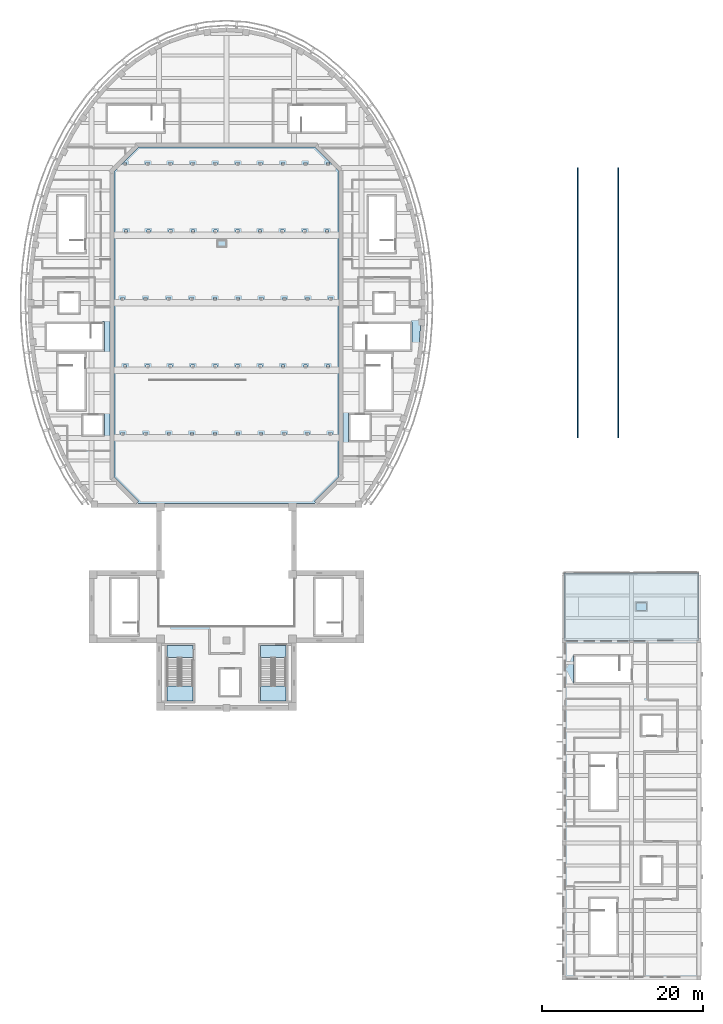
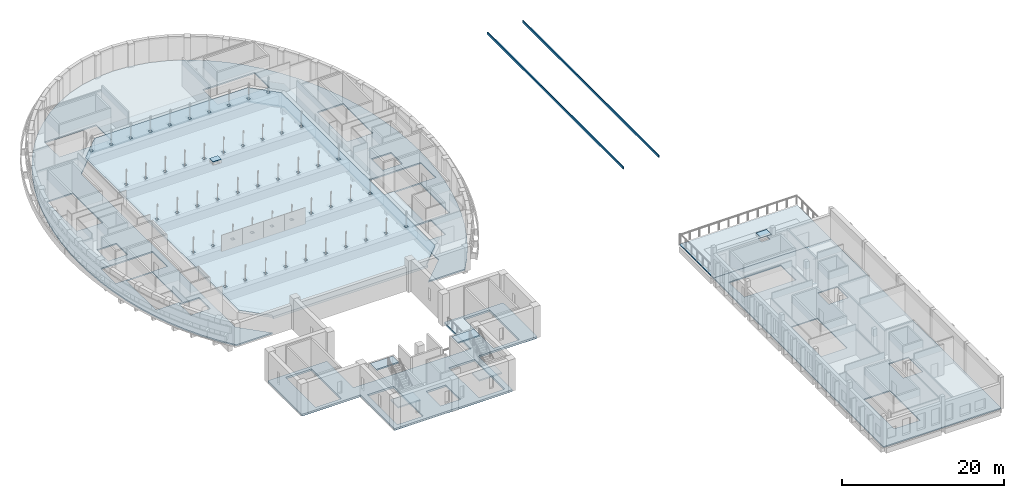
# One storey, part 23 of 47: 9 slabs, 2 beams, 2 plates, 2 openings, 2 elements without a shape of their own.
"""IFC4 building model written with IfcOpenShell, lengths in metres."""

from ifc_helpers import new_model, si_unit, direction, frame, origin, origin_2d, place, context, subcontext, project, spatial, polyline, rectangle, outline, extrude, material, layer, layer_set, material_profile, profile_set, type_object, element, fill, aggregate, save


model = new_model("IFC4")

# Units and contexts
model_context = context("Model", 3, precision=1e-05, world=origin(), true_north=direction((0.0, 1.0)))
body_context = subcontext(model_context, "Body", "Model", "MODEL_VIEW")
ifc_project = project(units=[si_unit("LENGTHUNIT", "METRE"), si_unit("AREAUNIT", "SQUARE_METRE"), si_unit("VOLUMEUNIT", "CUBIC_METRE"), si_unit("PLANEANGLEUNIT", "RADIAN"), si_unit("MASSUNIT", "GRAM", prefix="KILO")], contexts=[model_context])

# Site, building, storey
site_placement = place(None, origin())
site = spatial("IfcSite", under=ifc_project, at=site_placement, CompositionType="ELEMENT")
building_placement = place(site_placement, origin())
building = spatial("IfcBuilding", under=site, at=building_placement, Name="Larchfold Concert Hall", CompositionType="ELEMENT")
storey_placement = place(building_placement, frame((0.0, 0.0, 24.0)))
storey = spatial("IfcBuildingStorey", under=building, at=storey_placement, Name="L05", CompositionType="ELEMENT", Elevation=24.0)

# Beams
ifc_material_1 = material(Name="Glulam GL30c", Category="wood")
ifc_material_profile = material_profile(ifc_material_1, rectangle(XDim=0.139892578125, YDim=0.360107421875, at=origin_2d()))
ifc_profile_set = profile_set([ifc_material_profile], Name="Glulam GL30c")
beam_type = type_object("IfcBeamType", Name="Glulam beam GL30c 140x360", PredefinedType="BEAM", material=ifc_profile_set)
for number, where, z_axis, x_axis, name in (
    (1, (86.280029296875, 67.800048828125, 0.72412109375), (0.0, 1.0, 0.0), (-1.0, 0.0, 0.0), "Beam GL2084"),
    (2, (91.320068359375, 67.800048828125, 0.72412109375), (0.0, 1.0, 0.0), (-1.0, 0.0, 0.0), "Beam GL2085"),
):
    element("IfcBeam", number, at=place(storey_placement, frame(where, z_axis=z_axis, x_axis=x_axis)), inside=storey, type_object=beam_type, Name=name, PredefinedType="BEAM", context=body_context, shape_type="SweptSolid", body=[
        extrude(rectangle(XDim=0.139892578125, YDim=0.360107421875, at=origin_2d()), origin(), (0.0, 0.0, 1.0), 33.599853515625),
    ])

# Slab, opening, plate
ifc_material_2 = material(Name="Concrete C35/45", Category="concrete")
ifc_layer_1 = layer(ifc_material_2, 0.139892578125)
ifc_layer_set_1 = layer_set([ifc_layer_1], Name="Concrete C35/45")
slab_type_1 = type_object("IfcSlabType", Name="Roof slab 140 planted", PredefinedType="ROOF", material=ifc_layer_set_1)
slab_1_placement = place(storey_placement, frame((0.0, 0.0, -0.14013671875)))
slab_1 = element("IfcSlab", 3, at=slab_1_placement, inside=storey, type_object=slab_type_1, Name="Slab S0001", PredefinedType="ROOF", context=body_context, shape_type="SweptSolid", body=[
    extrude(outline(polyline([(84.60009765625, 51.0), (84.60009765625, 42.610107421875), (101.39990234375, 42.610107421875), (101.39990234375, 51.0), (84.60009765625, 51.0)])), origin(), (0.0, 0.0, 1.0), 0.14013671875),
])
opening_1_placement = place(storey_placement, frame((0.0, 0.0, -0.150146484375)))
opening_1 = element("IfcOpeningElement", 4, at=opening_1_placement, cuts=slab_1, Name="Opening RH05", PredefinedType="OPENING", context=body_context, shape_type="SweptSolid", body=[
    extrude(outline(polyline([(94.80029296875, 46.360107421875), (94.80029296875, 47.260009765625), (93.60009765625, 47.260009765625), (93.60009765625, 46.360107421875), (94.80029296875, 46.360107421875)])), origin(), (0.0, 0.0, 1.0), 0.16015625),
])
ifc_material_3 = material(Name="Insulated steel hatch lid", Category="steel")
ifc_layer_2 = layer(ifc_material_3, 0.06005859375)
ifc_layer_set_2 = layer_set([ifc_layer_2], Name="Insulated steel hatch lid")
plate_type = type_object("IfcPlateType", Name="Roof hatch lid 60", PredefinedType="SHEET", material=ifc_layer_set_2)
plate_1_placement = place(storey_placement, frame((94.2001953125, 46.81005859375, 0.739990234375), z_axis=(0.0, 0.0, 1.0), x_axis=(1.0, 0.0, 0.0)))
plate_1 = element("IfcPlate", 5, at=plate_1_placement, inside=storey, type_object=plate_type, Name="Roof hatch lid RH05", PredefinedType="SHEET", context=body_context, shape_type="SweptSolid", body=[
    extrude(rectangle(XDim=1.5, YDim=1.199951171875, at=origin_2d()), origin(), (0.0, 0.0, 1.0), 0.06005859375),
])
fill(opening_1, plate_1)

ifc_material_4 = material(Name="Concrete C40/50", Category="concrete")
ifc_layer_3 = layer(ifc_material_4, 0.35009765625)
ifc_layer_set_3 = layer_set([ifc_layer_3], Name="Concrete C40/50")
slab_type_2 = type_object("IfcSlabType", Name="Roof slab 350 hall", PredefinedType="ROOF", material=ifc_layer_set_3)
slab_2_placement = place(storey_placement, frame((0.0, 0.0, 2.0498046875)))
slab_2 = element("IfcSlab", 6, at=slab_2_placement, inside=storey, type_object=slab_type_2, Name="Slab S0005", PredefinedType="ROOF", context=body_context, shape_type="SweptSolid", body=[
    extrude(outline(polyline([(28.60009765625, 63.10009765625), (28.60009765625, 62.95361328125), (31.654052734375, 59.8994140625), (31.502197265625, 59.747802734375), (31.60009765625, 59.64990234375), (53.60009765625, 59.64990234375), (53.697998046875, 59.747802734375), (53.546142578125, 59.8994140625), (56.60009765625, 62.95361328125), (56.60009765625, 63.10009765625), (56.60009765625, 100.800048828125), (56.60009765625, 100.946533203125), (53.54638671875, 104.0), (31.653564453125, 104.0), (28.60009765625, 100.946533203125), (28.60009765625, 100.800048828125), (28.60009765625, 63.10009765625)]), holes=[polyline([(29.884765625, 68.449951171875), (29.884765625, 68.0498046875), (29.48486328125, 68.0498046875), (29.48486328125, 68.449951171875), (29.884765625, 68.449951171875)]), polyline([(38.494873046875, 68.0498046875), (38.094970703125, 68.0498046875), (38.094970703125, 68.449951171875), (38.494873046875, 68.449951171875), (38.494873046875, 68.0498046875)]), polyline([(35.624755859375, 68.0498046875), (35.224853515625, 68.0498046875), (35.224853515625, 68.449951171875), (35.624755859375, 68.449951171875), (35.624755859375, 68.0498046875)]), polyline([(32.754638671875, 68.449951171875), (32.754638671875, 68.0498046875), (32.354736328125, 68.0498046875), (32.354736328125, 68.449951171875), (32.754638671875, 68.449951171875)]), polyline([(32.9853515625, 76.449951171875), (32.58544921875, 76.449951171875), (32.58544921875, 76.85009765625), (32.9853515625, 76.85009765625), (32.9853515625, 76.449951171875)]), polyline([(30.18115234375, 76.449951171875), (29.78125, 76.449951171875), (29.78125, 76.85009765625), (30.18115234375, 76.85009765625), (30.18115234375, 76.449951171875)]), polyline([(35.78955078125, 76.85009765625), (35.78955078125, 76.449951171875), (35.3896484375, 76.449951171875), (35.3896484375, 76.85009765625), (35.78955078125, 76.85009765625)]), polyline([(32.71826171875, 84.849853515625), (32.318359375, 84.849853515625), (32.318359375, 85.25), (32.71826171875, 85.25), (32.71826171875, 84.849853515625)]), polyline([(35.5986328125, 84.849853515625), (35.19873046875, 84.849853515625), (35.19873046875, 85.25), (35.5986328125, 85.25), (35.5986328125, 84.849853515625)]), polyline([(38.479248046875, 85.25), (38.479248046875, 84.849853515625), (38.079345703125, 84.849853515625), (38.079345703125, 85.25), (38.479248046875, 85.25)]), polyline([(29.837646484375, 84.849853515625), (29.437744140625, 84.849853515625), (29.437744140625, 85.25), (29.837646484375, 85.25), (29.837646484375, 84.849853515625)]), polyline([(30.29931640625, 93.25), (29.8994140625, 93.25), (29.8994140625, 93.650146484375), (30.29931640625, 93.650146484375), (30.29931640625, 93.25)]), polyline([(33.0771484375, 93.650146484375), (33.0771484375, 93.25), (32.67724609375, 93.25), (32.67724609375, 93.650146484375), (33.0771484375, 93.650146484375)]), polyline([(35.855224609375, 93.25), (35.455322265625, 93.25), (35.455322265625, 93.650146484375), (35.855224609375, 93.650146484375), (35.855224609375, 93.25)]), polyline([(30.18212890625, 101.64990234375), (29.7822265625, 101.64990234375), (29.7822265625, 102.050048828125), (30.18212890625, 102.050048828125), (30.18212890625, 101.64990234375)]), polyline([(32.986083984375, 102.050048828125), (32.986083984375, 101.64990234375), (32.586181640625, 101.64990234375), (32.586181640625, 102.050048828125), (32.986083984375, 102.050048828125)]), polyline([(35.7900390625, 101.64990234375), (35.39013671875, 101.64990234375), (35.39013671875, 102.050048828125), (35.7900390625, 102.050048828125), (35.7900390625, 101.64990234375)]), polyline([(47.105224609375, 68.0498046875), (46.705322265625, 68.0498046875), (46.705322265625, 68.449951171875), (47.105224609375, 68.449951171875), (47.105224609375, 68.0498046875)]), polyline([(41.364990234375, 68.449951171875), (41.364990234375, 68.0498046875), (40.965087890625, 68.0498046875), (40.965087890625, 68.449951171875), (41.364990234375, 68.449951171875)]), polyline([(44.235107421875, 68.0498046875), (43.835205078125, 68.0498046875), (43.835205078125, 68.449951171875), (44.235107421875, 68.449951171875), (44.235107421875, 68.0498046875)]), polyline([(47.00634765625, 76.449951171875), (46.6064453125, 76.449951171875), (46.6064453125, 76.85009765625), (47.00634765625, 76.85009765625), (47.00634765625, 76.449951171875)]), polyline([(41.39794921875, 76.449951171875), (40.998046875, 76.449951171875), (40.998046875, 76.85009765625), (41.39794921875, 76.85009765625), (41.39794921875, 76.449951171875)]), polyline([(38.59375, 76.449951171875), (38.19384765625, 76.449951171875), (38.19384765625, 76.85009765625), (38.59375, 76.85009765625), (38.59375, 76.449951171875)]), polyline([(44.2021484375, 76.449951171875), (43.80224609375, 76.449951171875), (43.80224609375, 76.85009765625), (44.2021484375, 76.85009765625), (44.2021484375, 76.449951171875)]), polyline([(41.35986328125, 84.849853515625), (40.9599609375, 84.849853515625), (40.9599609375, 85.25), (41.35986328125, 85.25), (41.35986328125, 84.849853515625)]), polyline([(44.240234375, 85.25), (44.240234375, 84.849853515625), (43.84033203125, 84.849853515625), (43.84033203125, 85.25), (44.240234375, 85.25)]), polyline([(44.18896484375, 93.25), (43.7890625, 93.25), (43.7890625, 93.650146484375), (44.18896484375, 93.650146484375), (44.18896484375, 93.25)]), polyline([(46.967041015625, 93.25), (46.567138671875, 93.25), (46.567138671875, 93.650146484375), (46.967041015625, 93.650146484375), (46.967041015625, 93.25)]), polyline([(41.4111328125, 93.650146484375), (41.4111328125, 93.25), (41.01123046875, 93.25), (41.01123046875, 93.650146484375), (41.4111328125, 93.650146484375)]), polyline([(38.633056640625, 93.25), (38.233154296875, 93.25), (38.233154296875, 93.650146484375), (38.633056640625, 93.650146484375), (38.633056640625, 93.25)]), polyline([(44.2021484375, 101.64990234375), (43.80224609375, 101.64990234375), (43.80224609375, 102.050048828125), (44.2021484375, 102.050048828125), (44.2021484375, 101.64990234375)]), polyline([(41.39794921875, 102.050048828125), (41.39794921875, 101.64990234375), (40.998046875, 101.64990234375), (40.998046875, 102.050048828125), (41.39794921875, 102.050048828125)]), polyline([(47.006103515625, 101.64990234375), (46.606201171875, 101.64990234375), (46.606201171875, 102.050048828125), (47.006103515625, 102.050048828125), (47.006103515625, 101.64990234375)]), polyline([(38.593994140625, 101.64990234375), (38.194091796875, 101.64990234375), (38.194091796875, 102.050048828125), (38.593994140625, 102.050048828125), (38.593994140625, 101.64990234375)]), polyline([(49.975341796875, 68.449951171875), (49.975341796875, 68.0498046875), (49.575439453125, 68.0498046875), (49.575439453125, 68.449951171875), (49.975341796875, 68.449951171875)]), polyline([(52.845458984375, 68.0498046875), (52.445556640625, 68.0498046875), (52.445556640625, 68.449951171875), (52.845458984375, 68.449951171875), (52.845458984375, 68.0498046875)]), polyline([(55.71533203125, 68.0498046875), (55.3154296875, 68.0498046875), (55.3154296875, 68.449951171875), (55.71533203125, 68.449951171875), (55.71533203125, 68.0498046875)]), polyline([(49.810546875, 76.85009765625), (49.810546875, 76.449951171875), (49.41064453125, 76.449951171875), (49.41064453125, 76.85009765625), (49.810546875, 76.85009765625)]), polyline([(52.61474609375, 76.449951171875), (52.21484375, 76.449951171875), (52.21484375, 76.85009765625), (52.61474609375, 76.85009765625), (52.61474609375, 76.449951171875)]), polyline([(55.4189453125, 76.449951171875), (55.01904296875, 76.449951171875), (55.01904296875, 76.85009765625), (55.4189453125, 76.85009765625), (55.4189453125, 76.449951171875)]), polyline([(47.120849609375, 85.25), (47.120849609375, 84.849853515625), (46.720947265625, 84.849853515625), (46.720947265625, 85.25), (47.120849609375, 85.25)]), polyline([(50.00146484375, 84.849853515625), (49.6015625, 84.849853515625), (49.6015625, 85.25), (50.00146484375, 85.25), (50.00146484375, 84.849853515625)]), polyline([(52.8818359375, 84.849853515625), (52.48193359375, 84.849853515625), (52.48193359375, 85.25), (52.8818359375, 85.25), (52.8818359375, 84.849853515625)]), polyline([(55.762451171875, 85.25), (55.762451171875, 84.849853515625), (55.362548828125, 84.849853515625), (55.362548828125, 85.25), (55.762451171875, 85.25)]), polyline([(49.744873046875, 93.25), (49.344970703125, 93.25), (49.344970703125, 93.650146484375), (49.744873046875, 93.650146484375), (49.744873046875, 93.25)]), polyline([(52.52294921875, 93.25), (52.123046875, 93.25), (52.123046875, 93.650146484375), (52.52294921875, 93.650146484375), (52.52294921875, 93.25)]), polyline([(55.30078125, 93.25), (54.90087890625, 93.25), (54.90087890625, 93.650146484375), (55.30078125, 93.650146484375), (55.30078125, 93.25)]), polyline([(49.81005859375, 101.64990234375), (49.41015625, 101.64990234375), (49.41015625, 102.050048828125), (49.81005859375, 102.050048828125), (49.81005859375, 101.64990234375)]), polyline([(52.614013671875, 101.64990234375), (52.214111328125, 101.64990234375), (52.214111328125, 102.050048828125), (52.614013671875, 102.050048828125), (52.614013671875, 101.64990234375)]), polyline([(55.41796875, 101.64990234375), (55.01806640625, 101.64990234375), (55.01806640625, 102.050048828125), (55.41796875, 102.050048828125), (55.41796875, 101.64990234375)])]), origin(), (0.0, 0.0, 1.0), 0.35009765625),
])
opening_2_placement = place(storey_placement, frame((0.0, 0.0, 2.039794921875)))
opening_2 = element("IfcOpeningElement", 7, at=opening_2_placement, cuts=slab_2, Name="Opening RH01", PredefinedType="OPENING", context=body_context, shape_type="SweptSolid", body=[
    extrude(outline(polyline([(42.449951171875, 91.699951171875), (42.449951171875, 92.300048828125), (41.550048828125, 92.300048828125), (41.550048828125, 91.699951171875), (42.449951171875, 91.699951171875)])), origin(), (0.0, 0.0, 1.0), 0.3701171875),
])
plate_2_placement = place(storey_placement, frame((42.0, 92.0, 2.89990234375), z_axis=(0.0, 0.0, 1.0), x_axis=(1.0, 0.0, 0.0)))
plate_2 = element("IfcPlate", 8, at=plate_2_placement, inside=storey, type_object=plate_type, Name="Roof hatch lid RH01", PredefinedType="SHEET", context=body_context, shape_type="SweptSolid", body=[
    extrude(rectangle(XDim=1.199951171875, YDim=0.89990234375, at=origin_2d()), origin(), (0.0, 0.0, 1.0), 0.06005859375),
])
fill(opening_2, plate_2)

# Slabs
ifc_material_5 = material(Name="Concrete C35/45", Category="concrete")
ifc_layer_4 = layer(ifc_material_5, 0.159912109375)
ifc_layer_set_4 = layer_set([ifc_layer_4], Name="Concrete C35/45")
slab_type_3 = type_object("IfcSlabType", Name="Slab 160", PredefinedType="FLOOR", material=ifc_layer_set_4)
slab_3_placement = place(storey_placement, frame((0.0, 0.0, -0.16015625)))
element("IfcSlab", 9, at=slab_3_placement, inside=storey, type_object=slab_type_3, Name="Slab S0002", PredefinedType="FLOOR", context=body_context, shape_type="SweptSolid", body=[
    extrude(outline(polyline([(84.60009765625, 42.610107421875), (84.60009765625, 0.60009765625), (101.39990234375, 0.60009765625), (101.39990234375, 42.610107421875), (84.60009765625, 42.610107421875)]), holes=[polyline([(91.35009765625, 3.300048828125), (87.64990234375, 3.300048828125), (87.64990234375, 10.699951171875), (91.35009765625, 10.699951171875), (91.35009765625, 3.300048828125)]), polyline([(96.89990234375, 12.199951171875), (94.10009765625, 12.199951171875), (94.10009765625, 15.800048828125), (96.89990234375, 15.800048828125), (96.89990234375, 12.199951171875)]), polyline([(91.35009765625, 21.300048828125), (87.64990234375, 21.300048828125), (87.64990234375, 28.699951171875), (91.35009765625, 28.699951171875), (91.35009765625, 21.300048828125)]), polyline([(94.10009765625, 30.60009765625), (94.10009765625, 33.39990234375), (96.89990234375, 33.39990234375), (96.89990234375, 30.60009765625), (94.10009765625, 30.60009765625)]), polyline([(85.800048828125, 37.14990234375), (85.800048828125, 40.85009765625), (93.199951171875, 40.85009765625), (93.199951171875, 37.14990234375), (85.800048828125, 37.14990234375)])]), origin(), (0.0, 0.0, 1.0), 0.16015625),
])
ifc_material_6 = material(Name="Concrete C35/45", Category="concrete")
ifc_layer_5 = layer(ifc_material_6, 0.199951171875)
ifc_layer_set_5 = layer_set([ifc_layer_5], Name="Concrete C35/45")
slab_type_4 = type_object("IfcSlabType", Name="Slab 200", PredefinedType="FLOOR", material=ifc_layer_set_5)
slab_4_placement = place(storey_placement, frame((0.0, 0.0, -0.2001953125)))
element("IfcSlab", 10, at=slab_4_placement, inside=storey, type_object=slab_type_4, Name="Slab S0004", PredefinedType="FLOOR", context=body_context, shape_type="SweptSolid", body=[
    extrude(outline(polyline([(24.913818359375, 61.515380859375), (26.27978515625, 59.64990234375), (31.45751953125, 59.64990234375), (28.078857421875, 63.02880859375), (28.070068359375, 101.10009765625), (31.478759765625, 104.521240234375), (53.699951171875, 104.530029296875), (57.121337890625, 101.121337890625), (57.130126953125, 63.050048828125), (53.742431640625, 59.64990234375), (58.92041015625, 59.64990234375), (60.286376953125, 61.515380859375), (61.56884765625, 63.580078125), (62.703125, 65.731201171875), (63.69287109375, 67.953369140625), (64.541748046875, 70.234375), (65.253662109375, 72.562255859375), (65.83203125, 74.927490234375), (66.27880859375, 77.321533203125), (66.5966796875, 79.736328125), (66.786865234375, 82.164794921875), (66.85009765625, 84.60009765625), (66.78759765625, 87.020263671875), (66.599853515625, 89.433837890625), (66.285888671875, 91.833984375), (65.844482421875, 94.2138671875), (65.273681640625, 96.5654296875), (64.570556640625, 98.88037109375), (63.732177734375, 101.149169921875), (62.75537109375, 103.360595703125), (61.635986328125, 105.502685546875), (60.3701171875, 107.5595703125), (58.953857421875, 109.514892578125), (57.384765625, 111.3466796875), (55.661376953125, 113.03173828125), (53.78564453125, 114.541748046875), (51.763671875, 115.844970703125), (49.60888671875, 116.907958984375), (47.34130859375, 117.697509765625), (44.992431640625, 118.1845703125), (42.60009765625, 118.349609375), (40.207763671875, 118.1845703125), (37.85888671875, 117.697509765625), (35.59130859375, 116.907958984375), (33.4365234375, 115.844970703125), (31.41455078125, 114.541748046875), (29.538818359375, 113.03173828125), (27.8154296875, 111.3466796875), (26.246337890625, 109.514892578125), (24.830078125, 107.5595703125), (23.564208984375, 105.502685546875), (22.44482421875, 103.360595703125), (21.468017578125, 101.149169921875), (20.629638671875, 98.88037109375), (19.926513671875, 96.5654296875), (19.355712890625, 94.2138671875), (18.914306640625, 91.833984375), (18.600341796875, 89.433837890625), (18.41259765625, 87.020263671875), (18.35009765625, 84.60009765625), (18.413330078125, 82.164794921875), (18.603515625, 79.736328125), (18.92138671875, 77.321533203125), (19.3681640625, 74.927490234375), (19.946533203125, 72.562255859375), (20.658447265625, 70.234375), (21.50732421875, 67.953369140625), (22.4970703125, 65.731201171875), (23.63134765625, 63.580078125), (24.913818359375, 61.515380859375)]), holes=[polyline([(24.60009765625, 70.800048828125), (27.39990234375, 70.800048828125), (27.39990234375, 68.0), (24.60009765625, 68.0), (24.60009765625, 70.800048828125)]), polyline([(25.14990234375, 78.5), (25.14990234375, 71.10009765625), (21.449951171875, 71.10009765625), (21.449951171875, 78.5), (25.14990234375, 78.5)]), polyline([(27.39990234375, 82.25), (27.39990234375, 78.550048828125), (20.0, 78.550048828125), (20.0, 82.25), (27.39990234375, 82.25)]), polyline([(21.60009765625, 86.0), (24.39990234375, 86.0), (24.39990234375, 83.199951171875), (21.60009765625, 83.199951171875), (21.60009765625, 86.0)]), polyline([(25.14990234375, 98.10009765625), (25.14990234375, 90.699951171875), (21.449951171875, 90.699951171875), (21.449951171875, 98.10009765625), (25.14990234375, 98.10009765625)]), polyline([(35.0, 109.35009765625), (35.0, 105.64990234375), (27.60009765625, 105.64990234375), (27.60009765625, 109.35009765625), (35.0, 109.35009765625)]), polyline([(57.800048828125, 70.89990234375), (60.60009765625, 70.89990234375), (60.60009765625, 67.300048828125), (57.800048828125, 67.300048828125), (57.800048828125, 70.89990234375)]), polyline([(63.39990234375, 78.5), (63.39990234375, 71.10009765625), (59.699951171875, 71.10009765625), (59.699951171875, 78.5), (63.39990234375, 78.5)]), polyline([(65.699951171875, 82.25), (65.699951171875, 78.550048828125), (58.300048828125, 78.550048828125), (58.300048828125, 82.25), (65.699951171875, 82.25)]), polyline([(60.800048828125, 86.0), (63.60009765625, 86.0), (63.60009765625, 83.199951171875), (60.800048828125, 83.199951171875), (60.800048828125, 86.0)]), polyline([(63.75, 98.10009765625), (63.75, 90.699951171875), (60.050048828125, 90.699951171875), (60.050048828125, 98.10009765625), (63.75, 98.10009765625)]), polyline([(57.60009765625, 109.35009765625), (57.60009765625, 105.64990234375), (50.199951171875, 105.64990234375), (50.199951171875, 109.35009765625), (57.60009765625, 109.35009765625)])]), origin(), (0.0, 0.0, 1.0), 0.2001953125),
])
ifc_material_7 = material(Name="Concrete C35/45", Category="concrete")
ifc_layer_6 = layer(ifc_material_7, 0.280029296875)
ifc_layer_set_6 = layer_set([ifc_layer_6], Name="Concrete C35/45")
slab_type_5 = type_object("IfcSlabType", Name="Slab 280 flat plate", PredefinedType="FLOOR", material=ifc_layer_set_6)
slab_5_placement = place(storey_placement, frame((0.0, 0.0, -0.280029296875)))
element("IfcSlab", 11, at=slab_5_placement, inside=storey, type_object=slab_type_5, Name="Slab S0003", PredefinedType="FLOOR", context=body_context, shape_type="SweptSolid", body=[
    extrude(outline(polyline([(59.39990234375, 51.0), (51.0, 51.0), (51.0, 44.39990234375), (34.199951171875, 44.39990234375), (34.199951171875, 59.39990234375), (34.199951171875, 51.0), (25.800048828125, 51.0), (25.800048828125, 42.60009765625), (34.199951171875, 42.60009765625), (34.199951171875, 34.199951171875), (51.0, 34.199951171875), (51.0, 42.60009765625), (59.39990234375, 42.60009765625), (59.39990234375, 51.0)]), holes=[polyline([(41.60009765625, 35.60009765625), (41.60009765625, 39.199951171875), (44.39990234375, 39.199951171875), (44.39990234375, 35.60009765625), (41.60009765625, 35.60009765625)]), polyline([(34.949951171875, 42.199951171875), (38.64990234375, 42.199951171875), (38.64990234375, 34.800048828125), (34.949951171875, 34.800048828125), (34.949951171875, 42.199951171875)]), polyline([(46.550048828125, 42.199951171875), (50.25, 42.199951171875), (50.25, 34.800048828125), (46.550048828125, 34.800048828125), (46.550048828125, 42.199951171875)]), polyline([(28.050048828125, 50.5), (31.75, 50.5), (31.75, 43.10009765625), (28.050048828125, 43.10009765625), (28.050048828125, 50.5)]), polyline([(53.449951171875, 50.5), (57.14990234375, 50.5), (57.14990234375, 43.10009765625), (53.449951171875, 43.10009765625), (53.449951171875, 50.5)])]), origin(), (0.0, 0.0, 1.0), 0.280029296875),
])

# Stair, slabs
ifc_material_8 = material(Name="Concrete C35/45", Category="concrete")
stair_type = type_object("IfcStairType", Name="Stair RC half-turn enclosed", PredefinedType="HALF_TURN_STAIR", material=ifc_material_8)
stair_1_placement = place(storey_placement, origin())
stair_1 = element("IfcStair", 12, at=stair_1_placement, inside=storey, type_object=stair_type, Name="Stair SH3", PredefinedType="HALF_TURN_STAIR")
ifc_material_9 = material(Name="Concrete C35/45", Category="concrete")
ifc_layer_7 = layer(ifc_material_9, 0.199951171875)
ifc_layer_set_7 = layer_set([ifc_layer_7], Name="Concrete C35/45")
slab_type_6 = type_object("IfcSlabType", Name="Stair landing RC 200", PredefinedType="LANDING", material=ifc_layer_set_7)
slab_6_placement = place(storey_placement, frame((0.0, 0.0, 2.199951171875)))
slab_6 = element("IfcSlab", 13, at=slab_6_placement, type_object=slab_type_6, Name="ST11 landing 1", PredefinedType="LANDING", context=body_context, shape_type="SweptSolid", body=[
    extrude(outline(polyline([(35.199951171875, 36.93994140625), (35.199951171875, 35.050048828125), (38.39990234375, 35.050048828125), (38.39990234375, 36.93994140625), (35.199951171875, 36.93994140625)])), origin(), (0.0, 0.0, 1.0), 0.199951171875),
])
slab_7_placement = place(storey_placement, frame((0.0, 0.0, 4.60009765625)))
slab_7 = element("IfcSlab", 14, at=slab_7_placement, type_object=slab_type_6, Name="ST11 landing 2", PredefinedType="LANDING", context=body_context, shape_type="SweptSolid", body=[
    extrude(outline(polyline([(35.199951171875, 41.949951171875), (35.199951171875, 40.449951171875), (38.39990234375, 40.449951171875), (38.39990234375, 41.949951171875), (35.199951171875, 41.949951171875)])), origin(), (0.0, 0.0, 1.0), 0.199951171875),
])
aggregate(stair_1, [slab_6, slab_7])

stair_2_placement = place(storey_placement, origin())
stair_2 = element("IfcStair", 15, at=stair_2_placement, inside=storey, type_object=stair_type, Name="Stair SH4", PredefinedType="HALF_TURN_STAIR")
slab_8_placement = place(storey_placement, frame((0.0, 0.0, 2.199951171875)))
slab_8 = element("IfcSlab", 16, at=slab_8_placement, type_object=slab_type_6, Name="ST12 landing 1", PredefinedType="LANDING", context=body_context, shape_type="SweptSolid", body=[
    extrude(outline(polyline([(46.800048828125, 36.93994140625), (46.800048828125, 35.050048828125), (50.0, 35.050048828125), (50.0, 36.93994140625), (46.800048828125, 36.93994140625)])), origin(), (0.0, 0.0, 1.0), 0.199951171875),
])
slab_9_placement = place(storey_placement, frame((0.0, 0.0, 4.60009765625)))
slab_9 = element("IfcSlab", 17, at=slab_9_placement, type_object=slab_type_6, Name="ST12 landing 2", PredefinedType="LANDING", context=body_context, shape_type="SweptSolid", body=[
    extrude(outline(polyline([(46.800048828125, 41.949951171875), (46.800048828125, 40.449951171875), (50.0, 40.449951171875), (50.0, 41.949951171875), (46.800048828125, 41.949951171875)])), origin(), (0.0, 0.0, 1.0), 0.199951171875),
])
aggregate(stair_2, [slab_8, slab_9])

save(model, "model.ifc")
